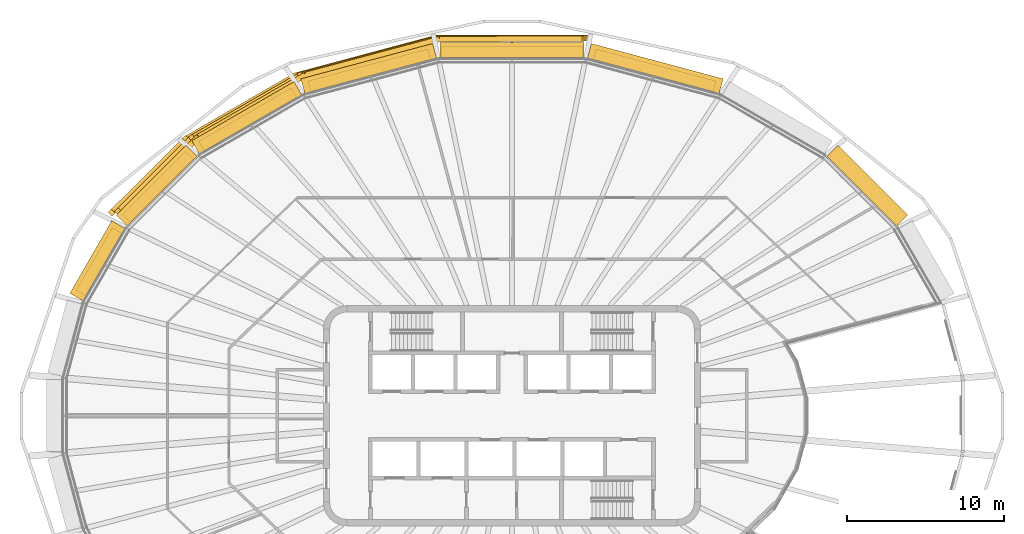
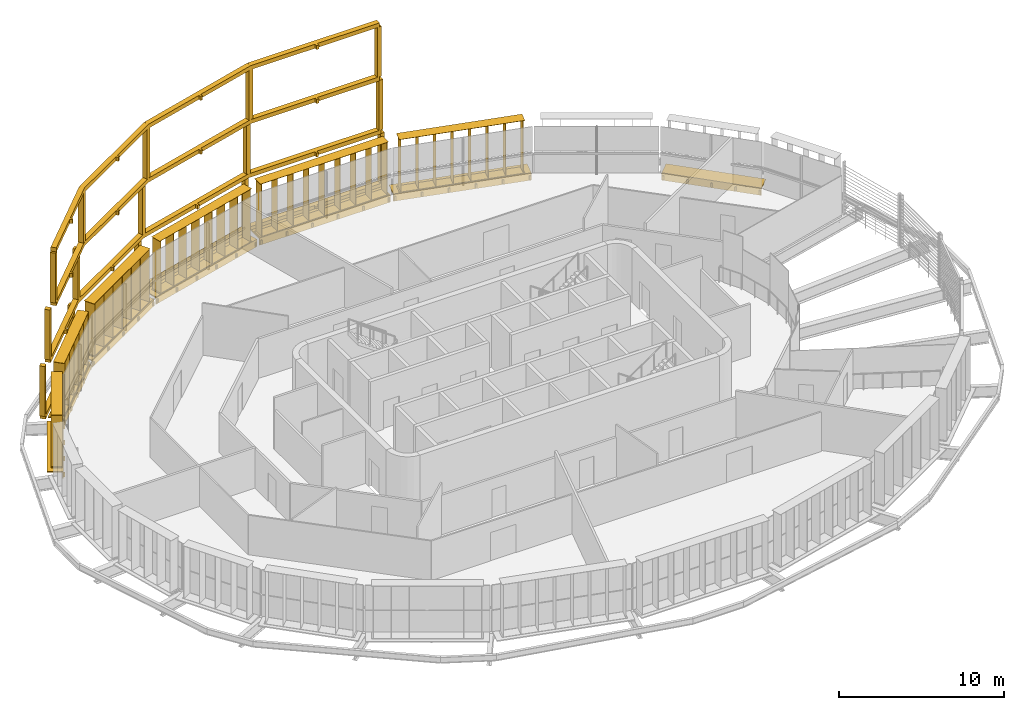
# One storey, part 18 of 19: 14 shading devices.
"""IFC4 building model written with IfcOpenShell, lengths in metres."""

from ifc_helpers import new_model, si_unit, direction, frame, origin, origin_2d, place, context, subcontext, project, spatial, polyline, rectangle, outline, extrude, material, type_object, element, save


model = new_model("IFC4")

# Units and contexts
model_context = context("Model", 3, precision=1e-05, world=origin(), true_north=direction((0.0, 1.0)))
body_context = subcontext(model_context, "Body", "Model", "MODEL_VIEW")
ifc_project = project(units=[si_unit("LENGTHUNIT", "METRE"), si_unit("AREAUNIT", "SQUARE_METRE"), si_unit("VOLUMEUNIT", "CUBIC_METRE"), si_unit("PLANEANGLEUNIT", "RADIAN"), si_unit("MASSUNIT", "GRAM", prefix="KILO")], contexts=[model_context])

# Site, building, storey
site_placement = place(None, origin())
site = spatial("IfcSite", under=ifc_project, at=site_placement, CompositionType="ELEMENT")
building_placement = place(site_placement, origin())
building = spatial("IfcBuilding", under=site, at=building_placement, Name="Sahrelin Media Tower", CompositionType="ELEMENT")
storey_placement = place(building_placement, frame((0.0, 0.0, 287.0)))
storey = spatial("IfcBuildingStorey", under=building, at=storey_placement, Name="L63", CompositionType="ELEMENT", Elevation=287.0)

# Shading devices
ifc_material_1 = material(Name="Dark bronze anodised aluminium 6063-T6", Category="aluminium")
shading_device_type_1 = type_object("IfcShadingDeviceType", Name="Deep frame", PredefinedType="USERDEFINED", material=ifc_material_1)
shading_device_1_placement = place(storey_placement, frame((4.685546875, 22.706787109375, 0.0), z_axis=(0.0, 0.0, 1.0), x_axis=(1.0, 0.0, 0.0)))
element("IfcShadingDevice", 1, at=shading_device_1_placement, inside=storey, type_object=shading_device_type_1, Name="L63:FRAME:F5-4", ObjectType="FRAME", PredefinedType="USERDEFINED", context=body_context, shape_type="SweptSolid", body=[
    extrude(rectangle(XDim=0.300048828125, YDim=0.35009765625, at=origin_2d()), frame((0.0, 1.324951171875, 0.14990234375), z_axis=(0.0, 0.0, 1.0), x_axis=(-1.0, 0.0, 0.0)), (0.0, 0.0, 1.0), 3.7001953125),
    extrude(rectangle(XDim=0.300048828125, YDim=0.35009765625, at=origin_2d()), frame((-9.544189453125, 1.313720703125, 0.14990234375), z_axis=(0.0, 0.0, 1.0), x_axis=(-0.991436202368, -0.130591947046, 0.0)), (0.0, 0.0, 1.0), 3.7001953125),
    extrude(rectangle(XDim=0.300048828125, YDim=0.35009765625, at=origin_2d()), frame((-18.4521484375, -1.0732421875, 0.14990234375), z_axis=(0.0, 0.0, 1.0), x_axis=(-0.923897565017, -0.382639895143, 0.0)), (0.0, 0.0, 1.0), 3.7001953125),
    extrude(rectangle(XDim=0.300048828125, YDim=0.35009765625, at=origin_2d()), frame((-25.432373046875, -5.103271484375, 0.14990234375), z_axis=(0.0, 0.0, 1.0), x_axis=(-0.793352277801, -0.608762813671, 0.0)), (0.0, 0.0, 1.0), 3.7001953125),
    extrude(rectangle(XDim=0.300048828125, YDim=0.35009765625, at=origin_2d()), frame((-30.1416015625, -9.796630859375, 0.14990234375), z_axis=(0.0, 0.0, 1.0), x_axis=(-0.707106781187, -0.707106781187, 0.0)), (0.0, 0.0, 1.0), 3.7001953125),
    extrude(outline(polyline([(-27.654052734375, -7.81103515625), (-27.548095703125, -7.705078125), (-27.67138671875, -7.581787109375), (-25.324951171875, -5.243408203125), (-21.919677734375, -3.277099609375), (-21.835205078125, -3.42333984375), (-21.705322265625, -3.348388671875), (-21.789794921875, -3.2021484375), (-18.384521484375, -1.236083984375), (-14.025146484375, -0.068115234375), (-13.981689453125, -0.231201171875), (-13.836669921875, -0.1923828125), (-13.88037109375, -0.029296875), (-9.52099609375, 1.138671875), (-4.760498046875, 1.144287109375), (-4.760498046875, 0.969970703125), (-4.610595703125, 0.969970703125), (-4.610595703125, 1.14453125), (0.000244140625, 1.14990234375), (-0.000244140625, 1.5), (-9.54443359375, 1.48876953125), (-9.544189453125, 1.313720703125), (-9.58935546875, 1.482666015625), (-18.497314453125, -0.904052734375), (-18.4521484375, -1.0732421875), (-18.53955078125, -0.921630859375), (-25.519775390625, -4.95166015625), (-25.432373046875, -5.103271484375), (-25.555908203125, -4.979248046875), (-30.26513671875, -9.672607421875), (-30.01806640625, -9.92041015625), (-27.777587890625, -7.6875), (-27.654052734375, -7.81103515625)])), frame((0.0, 0.0, -0.14990234375)), (0.0, 0.0, 1.0), 0.2998046875),
    extrude(rectangle(XDim=0.300048828125, YDim=0.35009765625, at=origin_2d()), frame((-0.116455078125, 1.291015625, 4.14990234375), z_axis=(0.0, 0.0, 1.0), x_axis=(-1.0, 0.0, 0.0)), (0.0, 0.0, 1.0), 3.7001953125),
    extrude(rectangle(XDim=0.300048828125, YDim=0.35009765625, at=origin_2d()), frame((-9.427490234375, 1.279541015625, 4.14990234375), z_axis=(0.0, 0.0, 1.0), x_axis=(-0.991436202368, -0.130591947046, 0.0)), (0.0, 0.0, 1.0), 3.7001953125),
    extrude(rectangle(XDim=0.300048828125, YDim=0.35009765625, at=origin_2d()), frame((-18.150634765625, -1.057861328125, 4.14990234375), z_axis=(0.0, 0.0, 1.0), x_axis=(-0.923897565017, -0.382639895143, 0.0)), (0.0, 0.0, 1.0), 3.7001953125),
    extrude(rectangle(XDim=0.300048828125, YDim=0.35009765625, at=origin_2d()), frame((-25.041259765625, -5.035888671875, 4.14990234375), z_axis=(0.0, 0.0, 1.0), x_axis=(-0.793352277801, -0.608762813671, 0.0)), (0.0, 0.0, 1.0), 3.7001953125),
    extrude(rectangle(XDim=0.300048828125, YDim=0.35009765625, at=origin_2d()), frame((-29.732421875, -9.711181640625, 4.14990234375), z_axis=(0.0, 0.0, 1.0), x_axis=(-0.707106781187, -0.707106781187, 0.0)), (0.0, 0.0, 1.0), 3.7001953125),
    extrude(outline(polyline([(-27.25390625, -7.734619140625), (-27.14794921875, -7.628662109375), (-27.27099609375, -7.50537109375), (-24.933837890625, -5.176025390625), (-21.573486328125, -3.23583984375), (-21.489013671875, -3.382080078125), (-21.359130859375, -3.306884765625), (-21.443603515625, -3.160888671875), (-18.0830078125, -1.220703125), (-13.81640625, -0.077392578125), (-13.772705078125, -0.240478515625), (-13.627685546875, -0.20166015625), (-13.67138671875, -0.038818359375), (-9.404541015625, 1.1044921875), (-4.760498046875, 1.110107421875), (-4.760498046875, 0.935791015625), (-4.610595703125, 0.935791015625), (-4.610595703125, 1.1103515625), (-0.1162109375, 1.115966796875), (-0.11669921875, 1.4658203125), (-9.427978515625, 1.45458984375), (-9.427490234375, 1.279541015625), (-9.472900390625, 1.448486328125), (-18.19580078125, -0.888671875), (-18.150634765625, -1.057861328125), (-18.23828125, -0.90625), (-25.128662109375, -4.884521484375), (-25.041259765625, -5.035888671875), (-25.164794921875, -4.912109375), (-29.855712890625, -9.587158203125), (-29.60888671875, -9.8349609375), (-27.37744140625, -7.611328125), (-27.25390625, -7.734619140625)])), frame((0.0, 0.0, 3.85009765625)), (0.0, 0.0, 1.0), 0.2998046875),
    extrude(rectangle(XDim=0.300048828125, YDim=0.35009765625, at=origin_2d()), frame((-0.242431640625, 1.253662109375, 8.14990234375), z_axis=(0.0, 0.0, 1.0), x_axis=(-1.0, 0.0, 0.0)), (0.0, 0.0, 1.0), 3.7001953125),
    extrude(rectangle(XDim=0.300048828125, YDim=0.35009765625, at=origin_2d()), frame((-9.301513671875, 1.242431640625, 8.14990234375), z_axis=(0.0, 0.0, 1.0), x_axis=(-0.991436202368, -0.130591947046, 0.0)), (0.0, 0.0, 1.0), 3.7001953125),
    extrude(rectangle(XDim=0.300048828125, YDim=0.35009765625, at=origin_2d()), frame((-17.823486328125, -1.041015625, 8.14990234375), z_axis=(0.0, 0.0, 1.0), x_axis=(-0.923897565017, -0.382639895143, 0.0)), (0.0, 0.0, 1.0), 3.7001953125),
    extrude(rectangle(XDim=0.300048828125, YDim=0.35009765625, at=origin_2d()), frame((-24.614501953125, -4.9619140625, 8.14990234375), z_axis=(0.0, 0.0, 1.0), x_axis=(-0.793352277801, -0.608762813671, 0.0)), (0.0, 0.0, 1.0), 3.7001953125),
    extrude(rectangle(XDim=0.300048828125, YDim=0.35009765625, at=origin_2d()), frame((-29.28466796875, -9.615966796875, 8.14990234375), z_axis=(0.0, 0.0, 1.0), x_axis=(-0.707106781187, -0.707106781187, 0.0)), (0.0, 0.0, 1.0), 3.7001953125),
    extrude(outline(polyline([(-26.81689453125, -7.650146484375), (-26.710693359375, -7.5439453125), (-26.833984375, -7.420654296875), (-24.50732421875, -5.10205078125), (-21.1962890625, -3.1904296875), (-21.112060546875, -3.336669921875), (-20.982177734375, -3.26171875), (-21.06640625, -3.115478515625), (-17.755859375, -1.2041015625), (-13.589599609375, -0.087646484375), (-13.5458984375, -0.250732421875), (-13.401123046875, -0.2119140625), (-13.44482421875, -0.048828125), (-9.278564453125, 1.0673828125), (-4.760498046875, 1.072998046875), (-4.760498046875, 0.898681640625), (-4.610595703125, 0.898681640625), (-4.610595703125, 1.0732421875), (-0.2421875, 1.07861328125), (-0.24267578125, 1.4287109375), (-9.302001953125, 1.41748046875), (-9.301513671875, 1.242431640625), (-9.346923828125, 1.411376953125), (-17.86865234375, -0.871826171875), (-17.823486328125, -1.041015625), (-17.910888671875, -0.889404296875), (-24.7021484375, -4.810302734375), (-24.614501953125, -4.9619140625), (-24.738037109375, -4.837890625), (-29.408203125, -9.491943359375), (-29.1611328125, -9.73974609375), (-26.940185546875, -7.526611328125), (-26.81689453125, -7.650146484375)])), frame((0.0, 0.0, 7.85009765625)), (0.0, 0.0, 1.0), 0.2998046875),
    extrude(outline(polyline([(-26.81689453125, -7.650146484375), (-26.710693359375, -7.5439453125), (-26.833984375, -7.420654296875), (-24.50732421875, -5.10205078125), (-21.1962890625, -3.1904296875), (-21.112060546875, -3.336669921875), (-20.982177734375, -3.26171875), (-21.06640625, -3.115478515625), (-17.755859375, -1.2041015625), (-13.589599609375, -0.087646484375), (-13.5458984375, -0.250732421875), (-13.401123046875, -0.2119140625), (-13.44482421875, -0.048828125), (-9.278564453125, 1.0673828125), (-4.760498046875, 1.072998046875), (-4.760498046875, 0.898681640625), (-4.610595703125, 0.898681640625), (-4.610595703125, 1.0732421875), (-0.2421875, 1.07861328125), (-0.24267578125, 1.4287109375), (-9.302001953125, 1.41748046875), (-9.301513671875, 1.242431640625), (-9.346923828125, 1.411376953125), (-17.86865234375, -0.871826171875), (-17.823486328125, -1.041015625), (-17.910888671875, -0.889404296875), (-24.7021484375, -4.810302734375), (-24.614501953125, -4.9619140625), (-24.738037109375, -4.837890625), (-29.408203125, -9.491943359375), (-29.1611328125, -9.73974609375), (-26.940185546875, -7.526611328125), (-26.81689453125, -7.650146484375)])), frame((0.0, 0.0, 11.85009765625)), (0.0, 0.0, 1.0), 0.2998046875),
])
ifc_material_2 = material(Name="Champagne anodised aluminium 6063-T6", Category="aluminium")
shading_device_type_2 = type_object("IfcShadingDeviceType", Name="Fin cassette", PredefinedType="USERDEFINED", material=ifc_material_2)
placement_1 = place(storey_placement, frame((8.972412109375, 21.55810546875, 0.0), z_axis=(0.0, 0.0, 1.0), x_axis=(0.965928857556, -0.258807731996, 0.0)))
element("IfcShadingDevice", 2, at=placement_1, inside=storey, type_object=shading_device_type_2, Name="L63:FIN:L63-05", ObjectType="FIN", PredefinedType="USERDEFINED", context=body_context, shape_type="SweptSolid", body=[
    extrude(rectangle(XDim=7.89990234375, YDim=0.699951171875, at=origin_2d()), frame((0.0, 0.419921875, 0.0)), (0.0, 0.0, 1.0), 0.02001953125),
    extrude(rectangle(XDim=7.89990234375, YDim=0.699951171875, at=origin_2d()), frame((0.0, 0.419921875, 3.89990234375)), (0.0, 0.0, 1.0), 0.02001953125),
    extrude(rectangle(XDim=0.02001953125, YDim=0.699951171875, at=origin_2d()), frame((-3.85009765625, 0.419921875, 0.010009765625), z_axis=(0.0, 0.0, 1.0), x_axis=(1.0, 0.0, 0.0)), (0.0, 0.0, 1.0), 3.89990234375),
    extrude(rectangle(XDim=0.02001953125, YDim=0.699951171875, at=origin_2d()), frame((-2.75, 0.419921875, 0.010009765625), z_axis=(0.0, 0.0, 1.0), x_axis=(1.0, 0.0, 0.0)), (0.0, 0.0, 1.0), 3.89990234375),
    extrude(rectangle(XDim=0.02001953125, YDim=0.699951171875, at=origin_2d()), frame((-1.64990234375, 0.419921875, 0.010009765625), z_axis=(0.0, 0.0, 1.0), x_axis=(1.0, 0.0, 0.0)), (0.0, 0.0, 1.0), 3.89990234375),
    extrude(rectangle(XDim=0.02001953125, YDim=0.699951171875, at=origin_2d()), frame((-0.550048828125, 0.419921875, 0.010009765625), z_axis=(0.0, 0.0, 1.0), x_axis=(1.0, 0.0, 0.0)), (0.0, 0.0, 1.0), 3.89990234375),
    extrude(rectangle(XDim=0.02001953125, YDim=0.699951171875, at=origin_2d()), frame((0.550048828125, 0.419921875, 0.010009765625), z_axis=(0.0, 0.0, 1.0), x_axis=(1.0, 0.0, 0.0)), (0.0, 0.0, 1.0), 3.89990234375),
    extrude(rectangle(XDim=0.02001953125, YDim=0.699951171875, at=origin_2d()), frame((1.64990234375, 0.419921875, 0.010009765625), z_axis=(0.0, 0.0, 1.0), x_axis=(1.0, 0.0, 0.0)), (0.0, 0.0, 1.0), 3.89990234375),
    extrude(rectangle(XDim=0.02001953125, YDim=0.699951171875, at=origin_2d()), frame((2.75, 0.419921875, 0.010009765625), z_axis=(0.0, 0.0, 1.0), x_axis=(1.0, 0.0, 0.0)), (0.0, 0.0, 1.0), 3.89990234375),
    extrude(rectangle(XDim=0.02001953125, YDim=0.699951171875, at=origin_2d()), frame((3.85009765625, 0.419921875, 0.010009765625), z_axis=(0.0, 0.0, 1.0), x_axis=(1.0, 0.0, 0.0)), (0.0, 0.0, 1.0), 3.89990234375),
])
placement_2 = place(storey_placement, frame((0.0, 22.706787109375, 0.0), z_axis=(0.0, 0.0, 1.0), x_axis=(1.0, 0.0, 0.0)))
element("IfcShadingDevice", 3, at=placement_2, inside=storey, type_object=shading_device_type_2, Name="L63:FIN:L63-06", ObjectType="FIN", PredefinedType="USERDEFINED", context=body_context, shape_type="SweptSolid", body=[
    extrude(rectangle(XDim=9.0, YDim=0.699951171875, at=origin_2d()), frame((0.0, 0.419921875, 0.0)), (0.0, 0.0, 1.0), 0.02001953125),
    extrude(rectangle(XDim=9.0, YDim=0.699951171875, at=origin_2d()), frame((0.0, 0.419921875, 3.89990234375)), (0.0, 0.0, 1.0), 0.02001953125),
    extrude(rectangle(XDim=0.02001953125, YDim=0.699951171875, at=origin_2d()), frame((-4.39990234375, 0.419921875, 0.010009765625), z_axis=(0.0, 0.0, 1.0), x_axis=(1.0, 0.0, 0.0)), (0.0, 0.0, 1.0), 3.89990234375),
    extrude(rectangle(XDim=0.02001953125, YDim=0.699951171875, at=origin_2d()), frame((-3.300048828125, 0.419921875, 0.010009765625), z_axis=(0.0, 0.0, 1.0), x_axis=(1.0, 0.0, 0.0)), (0.0, 0.0, 1.0), 3.89990234375),
    extrude(rectangle(XDim=0.02001953125, YDim=0.699951171875, at=origin_2d()), frame((-2.199951171875, 0.419921875, 0.010009765625), z_axis=(0.0, 0.0, 1.0), x_axis=(1.0, 0.0, 0.0)), (0.0, 0.0, 1.0), 3.89990234375),
    extrude(rectangle(XDim=0.02001953125, YDim=0.699951171875, at=origin_2d()), frame((-1.10009765625, 0.419921875, 0.010009765625), z_axis=(0.0, 0.0, 1.0), x_axis=(1.0, 0.0, 0.0)), (0.0, 0.0, 1.0), 3.89990234375),
    extrude(rectangle(XDim=0.02001953125, YDim=0.699951171875, at=origin_2d()), frame((0.0, 0.419921875, 0.010009765625), z_axis=(0.0, 0.0, 1.0), x_axis=(1.0, 0.0, 0.0)), (0.0, 0.0, 1.0), 3.89990234375),
    extrude(rectangle(XDim=0.02001953125, YDim=0.699951171875, at=origin_2d()), frame((1.10009765625, 0.419921875, 0.010009765625), z_axis=(0.0, 0.0, 1.0), x_axis=(1.0, 0.0, 0.0)), (0.0, 0.0, 1.0), 3.89990234375),
    extrude(rectangle(XDim=0.02001953125, YDim=0.699951171875, at=origin_2d()), frame((2.199951171875, 0.419921875, 0.010009765625), z_axis=(0.0, 0.0, 1.0), x_axis=(1.0, 0.0, 0.0)), (0.0, 0.0, 1.0), 3.89990234375),
    extrude(rectangle(XDim=0.02001953125, YDim=0.699951171875, at=origin_2d()), frame((3.300048828125, 0.419921875, 0.010009765625), z_axis=(0.0, 0.0, 1.0), x_axis=(1.0, 0.0, 0.0)), (0.0, 0.0, 1.0), 3.89990234375),
    extrude(rectangle(XDim=0.02001953125, YDim=0.699951171875, at=origin_2d()), frame((4.39990234375, 0.419921875, 0.010009765625), z_axis=(0.0, 0.0, 1.0), x_axis=(1.0, 0.0, 0.0)), (0.0, 0.0, 1.0), 3.89990234375),
])
placement_3 = place(storey_placement, frame((-8.972412109375, 21.55810546875, 0.0), z_axis=(0.0, 0.0, 1.0), x_axis=(0.965928857556, 0.258807731996, 0.0)))
element("IfcShadingDevice", 4, at=placement_3, inside=storey, type_object=shading_device_type_2, Name="L63:FIN:L63-07", ObjectType="FIN", PredefinedType="USERDEFINED", context=body_context, shape_type="SweptSolid", body=[
    extrude(rectangle(XDim=7.89990234375, YDim=0.699951171875, at=origin_2d()), frame((0.0, 0.419921875, 0.0)), (0.0, 0.0, 1.0), 0.02001953125),
    extrude(rectangle(XDim=7.89990234375, YDim=0.699951171875, at=origin_2d()), frame((0.0, 0.419921875, 3.89990234375)), (0.0, 0.0, 1.0), 0.02001953125),
    extrude(rectangle(XDim=0.02001953125, YDim=0.699951171875, at=origin_2d()), frame((-3.85009765625, 0.419921875, 0.010009765625), z_axis=(0.0, 0.0, 1.0), x_axis=(1.0, 0.0, 0.0)), (0.0, 0.0, 1.0), 3.89990234375),
    extrude(rectangle(XDim=0.02001953125, YDim=0.699951171875, at=origin_2d()), frame((-2.75, 0.419921875, 0.010009765625), z_axis=(0.0, 0.0, 1.0), x_axis=(1.0, 0.0, 0.0)), (0.0, 0.0, 1.0), 3.89990234375),
    extrude(rectangle(XDim=0.02001953125, YDim=0.699951171875, at=origin_2d()), frame((-1.64990234375, 0.419921875, 0.010009765625), z_axis=(0.0, 0.0, 1.0), x_axis=(1.0, 0.0, 0.0)), (0.0, 0.0, 1.0), 3.89990234375),
    extrude(rectangle(XDim=0.02001953125, YDim=0.699951171875, at=origin_2d()), frame((-0.550048828125, 0.419921875, 0.010009765625), z_axis=(0.0, 0.0, 1.0), x_axis=(1.0, 0.0, 0.0)), (0.0, 0.0, 1.0), 3.89990234375),
    extrude(rectangle(XDim=0.02001953125, YDim=0.699951171875, at=origin_2d()), frame((0.550048828125, 0.419921875, 0.010009765625), z_axis=(0.0, 0.0, 1.0), x_axis=(1.0, 0.0, 0.0)), (0.0, 0.0, 1.0), 3.89990234375),
    extrude(rectangle(XDim=0.02001953125, YDim=0.699951171875, at=origin_2d()), frame((1.64990234375, 0.419921875, 0.010009765625), z_axis=(0.0, 0.0, 1.0), x_axis=(1.0, 0.0, 0.0)), (0.0, 0.0, 1.0), 3.89990234375),
    extrude(rectangle(XDim=0.02001953125, YDim=0.699951171875, at=origin_2d()), frame((2.75, 0.419921875, 0.010009765625), z_axis=(0.0, 0.0, 1.0), x_axis=(1.0, 0.0, 0.0)), (0.0, 0.0, 1.0), 3.89990234375),
    extrude(rectangle(XDim=0.02001953125, YDim=0.699951171875, at=origin_2d()), frame((3.85009765625, 0.419921875, 0.010009765625), z_axis=(0.0, 0.0, 1.0), x_axis=(1.0, 0.0, 0.0)), (0.0, 0.0, 1.0), 3.89990234375),
])
placement_4 = place(storey_placement, frame((-16.599853515625, 18.48095703125, 0.0), z_axis=(0.0, 0.0, 1.0), x_axis=(0.866019052629, 0.500011000363, 0.0)))
element("IfcShadingDevice", 5, at=placement_4, inside=storey, type_object=shading_device_type_2, Name="L63:FIN:L63-08", ObjectType="FIN", PredefinedType="USERDEFINED", context=body_context, shape_type="SweptSolid", body=[
    extrude(rectangle(XDim=6.800048828125, YDim=0.699951171875, at=origin_2d()), frame((0.0, 0.419921875, 0.0)), (0.0, 0.0, 1.0), 0.02001953125),
    extrude(rectangle(XDim=6.800048828125, YDim=0.699951171875, at=origin_2d()), frame((0.0, 0.419921875, 3.89990234375)), (0.0, 0.0, 1.0), 0.02001953125),
    extrude(rectangle(XDim=0.02001953125, YDim=0.699951171875, at=origin_2d()), frame((-3.300048828125, 0.419921875, 0.010009765625), z_axis=(0.0, 0.0, 1.0), x_axis=(1.0, 0.0, 0.0)), (0.0, 0.0, 1.0), 3.89990234375),
    extrude(rectangle(XDim=0.02001953125, YDim=0.699951171875, at=origin_2d()), frame((-2.199951171875, 0.419921875, 0.010009765625), z_axis=(0.0, 0.0, 1.0), x_axis=(1.0, 0.0, 0.0)), (0.0, 0.0, 1.0), 3.89990234375),
    extrude(rectangle(XDim=0.02001953125, YDim=0.699951171875, at=origin_2d()), frame((-1.10009765625, 0.419921875, 0.010009765625), z_axis=(0.0, 0.0, 1.0), x_axis=(1.0, 0.0, 0.0)), (0.0, 0.0, 1.0), 3.89990234375),
    extrude(rectangle(XDim=0.02001953125, YDim=0.699951171875, at=origin_2d()), frame((0.0, 0.419921875, 0.010009765625), z_axis=(0.0, 0.0, 1.0), x_axis=(1.0, 0.0, 0.0)), (0.0, 0.0, 1.0), 3.89990234375),
    extrude(rectangle(XDim=0.02001953125, YDim=0.699951171875, at=origin_2d()), frame((1.10009765625, 0.419921875, 0.010009765625), z_axis=(0.0, 0.0, 1.0), x_axis=(1.0, 0.0, 0.0)), (0.0, 0.0, 1.0), 3.89990234375),
    extrude(rectangle(XDim=0.02001953125, YDim=0.699951171875, at=origin_2d()), frame((2.199951171875, 0.419921875, 0.010009765625), z_axis=(0.0, 0.0, 1.0), x_axis=(1.0, 0.0, 0.0)), (0.0, 0.0, 1.0), 3.89990234375),
    extrude(rectangle(XDim=0.02001953125, YDim=0.699951171875, at=origin_2d()), frame((3.300048828125, 0.419921875, 0.010009765625), z_axis=(0.0, 0.0, 1.0), x_axis=(1.0, 0.0, 0.0)), (0.0, 0.0, 1.0), 3.89990234375),
])
placement_5 = place(storey_placement, frame((-22.2294921875, 14.262939453125, 0.0), z_axis=(0.0, 0.0, 1.0), x_axis=(0.707106781187, 0.707106781187, 0.0)))
element("IfcShadingDevice", 6, at=placement_5, inside=storey, type_object=shading_device_type_2, Name="L63:FIN:L63-09", ObjectType="FIN", PredefinedType="USERDEFINED", context=body_context, shape_type="SweptSolid", body=[
    extrude(rectangle(XDim=5.699951171875, YDim=0.699951171875, at=origin_2d()), frame((0.0, 0.419921875, 0.0)), (0.0, 0.0, 1.0), 0.02001953125),
    extrude(rectangle(XDim=5.699951171875, YDim=0.699951171875, at=origin_2d()), frame((0.0, 0.419921875, 3.89990234375)), (0.0, 0.0, 1.0), 0.02001953125),
    extrude(rectangle(XDim=0.02001953125, YDim=0.699951171875, at=origin_2d()), frame((-2.75, 0.419921875, 0.010009765625), z_axis=(0.0, 0.0, 1.0), x_axis=(1.0, 0.0, 0.0)), (0.0, 0.0, 1.0), 3.89990234375),
    extrude(rectangle(XDim=0.02001953125, YDim=0.699951171875, at=origin_2d()), frame((-1.64990234375, 0.419921875, 0.010009765625), z_axis=(0.0, 0.0, 1.0), x_axis=(1.0, 0.0, 0.0)), (0.0, 0.0, 1.0), 3.89990234375),
    extrude(rectangle(XDim=0.02001953125, YDim=0.699951171875, at=origin_2d()), frame((-0.550048828125, 0.419921875, 0.010009765625), z_axis=(0.0, 0.0, 1.0), x_axis=(1.0, 0.0, 0.0)), (0.0, 0.0, 1.0), 3.89990234375),
    extrude(rectangle(XDim=0.02001953125, YDim=0.699951171875, at=origin_2d()), frame((0.550048828125, 0.419921875, 0.010009765625), z_axis=(0.0, 0.0, 1.0), x_axis=(1.0, 0.0, 0.0)), (0.0, 0.0, 1.0), 3.89990234375),
    extrude(rectangle(XDim=0.02001953125, YDim=0.699951171875, at=origin_2d()), frame((1.64990234375, 0.419921875, 0.010009765625), z_axis=(0.0, 0.0, 1.0), x_axis=(1.0, 0.0, 0.0)), (0.0, 0.0, 1.0), 3.89990234375),
    extrude(rectangle(XDim=0.02001953125, YDim=0.699951171875, at=origin_2d()), frame((2.75, 0.419921875, 0.010009765625), z_axis=(0.0, 0.0, 1.0), x_axis=(1.0, 0.0, 0.0)), (0.0, 0.0, 1.0), 3.89990234375),
])
placement_6 = place(storey_placement, frame((-25.90087890625, 9.580322265625, 0.0), z_axis=(0.0, 0.0, 1.0), x_axis=(0.500011000363, 0.866019052629, 0.0)))
element("IfcShadingDevice", 7, at=placement_6, inside=storey, type_object=shading_device_type_2, Name="L63:FIN:L63-10", ObjectType="FIN", PredefinedType="USERDEFINED", context=body_context, shape_type="SweptSolid", body=[
    extrude(rectangle(XDim=4.60009765625, YDim=0.699951171875, at=origin_2d()), frame((0.0, 0.419921875, 0.0)), (0.0, 0.0, 1.0), 0.02001953125),
    extrude(rectangle(XDim=4.60009765625, YDim=0.699951171875, at=origin_2d()), frame((0.0, 0.419921875, 3.89990234375)), (0.0, 0.0, 1.0), 0.02001953125),
    extrude(rectangle(XDim=0.02001953125, YDim=0.699951171875, at=origin_2d()), frame((-2.199951171875, 0.419921875, 0.010009765625), z_axis=(0.0, 0.0, 1.0), x_axis=(1.0, 0.0, 0.0)), (0.0, 0.0, 1.0), 3.89990234375),
    extrude(rectangle(XDim=0.02001953125, YDim=0.699951171875, at=origin_2d()), frame((-1.10009765625, 0.419921875, 0.010009765625), z_axis=(0.0, 0.0, 1.0), x_axis=(1.0, 0.0, 0.0)), (0.0, 0.0, 1.0), 3.89990234375),
    extrude(rectangle(XDim=0.02001953125, YDim=0.699951171875, at=origin_2d()), frame((0.0, 0.419921875, 0.010009765625), z_axis=(0.0, 0.0, 1.0), x_axis=(1.0, 0.0, 0.0)), (0.0, 0.0, 1.0), 3.89990234375),
    extrude(rectangle(XDim=0.02001953125, YDim=0.699951171875, at=origin_2d()), frame((1.10009765625, 0.419921875, 0.010009765625), z_axis=(0.0, 0.0, 1.0), x_axis=(1.0, 0.0, 0.0)), (0.0, 0.0, 1.0), 3.89990234375),
    extrude(rectangle(XDim=0.02001953125, YDim=0.699951171875, at=origin_2d()), frame((2.199951171875, 0.419921875, 0.010009765625), z_axis=(0.0, 0.0, 1.0), x_axis=(1.0, 0.0, 0.0)), (0.0, 0.0, 1.0), 3.89990234375),
])
shading_device_type_3 = type_object("IfcShadingDeviceType", Name="Sunshade band", PredefinedType="USERDEFINED", material=ifc_material_2)
shading_device_8_placement = place(storey_placement, frame((22.2294921875, 14.2626953125, 0.0), z_axis=(0.0, 0.0, 1.0), x_axis=(0.707106781187, -0.707106781187, 0.0)))
element("IfcShadingDevice", 8, at=shading_device_8_placement, inside=storey, type_object=shading_device_type_3, Name="L63:SUN:L63-03", ObjectType="SUNSHADE", PredefinedType="USERDEFINED", context=body_context, shape_type="SweptSolid", body=[
    extrude(rectangle(XDim=6.27587890625, YDim=0.050048828125, at=origin_2d()), frame((0.0, 0.044921875, -0.55126953125)), (0.0, 0.0, 1.0), 0.471435546875),
    extrude(rectangle(XDim=6.27587890625, YDim=1.0, at=origin_2d()), frame((0.0, 0.52001953125, -0.080078125)), (0.0, 0.0, 1.0), 0.080078125),
    extrude(rectangle(XDim=0.10009765625, YDim=0.074951171875, at=origin_2d()), frame((-3.037841796875, -0.017578125, -0.47021484375)), (0.0, 0.0, 1.0), 0.300048828125),
    extrude(rectangle(XDim=0.10009765625, YDim=0.074951171875, at=origin_2d()), frame((-1.518798828125, -0.017578125, -0.47021484375)), (0.0, 0.0, 1.0), 0.300048828125),
    extrude(rectangle(XDim=0.10009765625, YDim=0.074951171875, at=origin_2d()), frame((0.0, -0.017578125, -0.47021484375)), (0.0, 0.0, 1.0), 0.300048828125),
    extrude(rectangle(XDim=0.10009765625, YDim=0.074951171875, at=origin_2d()), frame((1.518798828125, -0.017578125, -0.47021484375)), (0.0, 0.0, 1.0), 0.300048828125),
    extrude(rectangle(XDim=0.10009765625, YDim=0.074951171875, at=origin_2d()), frame((3.037841796875, -0.017578125, -0.47021484375)), (0.0, 0.0, 1.0), 0.300048828125),
])
element("IfcShadingDevice", 9, at=placement_1, inside=storey, type_object=shading_device_type_3, Name="L63:SUN:L63-05", ObjectType="SUNSHADE", PredefinedType="USERDEFINED", context=body_context, shape_type="SweptSolid", body=[
    extrude(rectangle(XDim=8.67626953125, YDim=0.050048828125, at=origin_2d()), frame((0.0, 0.044921875, -0.55126953125)), (0.0, 0.0, 1.0), 0.471435546875),
    extrude(rectangle(XDim=8.67626953125, YDim=1.0, at=origin_2d()), frame((0.0, 0.52001953125, -0.080078125)), (0.0, 0.0, 1.0), 0.080078125),
    extrude(rectangle(XDim=0.10009765625, YDim=0.074951171875, at=origin_2d()), frame((-4.238037109375, -0.017578125, -0.47021484375)), (0.0, 0.0, 1.0), 0.300048828125),
    extrude(rectangle(XDim=0.10009765625, YDim=0.074951171875, at=origin_2d()), frame((-2.54296875, -0.017578125, -0.47021484375)), (0.0, 0.0, 1.0), 0.300048828125),
    extrude(rectangle(XDim=0.10009765625, YDim=0.074951171875, at=origin_2d()), frame((-0.84765625, -0.017578125, -0.47021484375)), (0.0, 0.0, 1.0), 0.300048828125),
    extrude(rectangle(XDim=0.10009765625, YDim=0.074951171875, at=origin_2d()), frame((0.84765625, -0.017578125, -0.47021484375)), (0.0, 0.0, 1.0), 0.300048828125),
    extrude(rectangle(XDim=0.10009765625, YDim=0.074951171875, at=origin_2d()), frame((2.54296875, -0.017578125, -0.47021484375)), (0.0, 0.0, 1.0), 0.300048828125),
    extrude(rectangle(XDim=0.10009765625, YDim=0.074951171875, at=origin_2d()), frame((4.238037109375, -0.017578125, -0.47021484375)), (0.0, 0.0, 1.0), 0.300048828125),
])
element("IfcShadingDevice", 10, at=placement_2, inside=storey, type_object=shading_device_type_3, Name="L63:SUN:L63-06", ObjectType="SUNSHADE", PredefinedType="USERDEFINED", context=body_context, shape_type="SweptSolid", body=[
    extrude(rectangle(XDim=9.171142578125, YDim=0.050048828125, at=origin_2d()), frame((0.0, 0.044921875, -0.55126953125)), (0.0, 0.0, 1.0), 0.471435546875),
    extrude(rectangle(XDim=9.171142578125, YDim=1.0, at=origin_2d()), frame((0.0, 0.52001953125, -0.080078125)), (0.0, 0.0, 1.0), 0.080078125),
    extrude(rectangle(XDim=0.10009765625, YDim=0.074951171875, at=origin_2d()), frame((-4.485595703125, -0.017578125, -0.47021484375)), (0.0, 0.0, 1.0), 0.300048828125),
    extrude(rectangle(XDim=0.10009765625, YDim=0.074951171875, at=origin_2d()), frame((-2.69140625, -0.017578125, -0.47021484375)), (0.0, 0.0, 1.0), 0.300048828125),
    extrude(rectangle(XDim=0.10009765625, YDim=0.074951171875, at=origin_2d()), frame((-0.897216796875, -0.017578125, -0.47021484375)), (0.0, 0.0, 1.0), 0.300048828125),
    extrude(rectangle(XDim=0.10009765625, YDim=0.074951171875, at=origin_2d()), frame((0.897216796875, -0.017578125, -0.47021484375)), (0.0, 0.0, 1.0), 0.300048828125),
    extrude(rectangle(XDim=0.10009765625, YDim=0.074951171875, at=origin_2d()), frame((2.69140625, -0.017578125, -0.47021484375)), (0.0, 0.0, 1.0), 0.300048828125),
    extrude(rectangle(XDim=0.10009765625, YDim=0.074951171875, at=origin_2d()), frame((4.485595703125, -0.017578125, -0.47021484375)), (0.0, 0.0, 1.0), 0.300048828125),
])
element("IfcShadingDevice", 11, at=placement_3, inside=storey, type_object=shading_device_type_3, Name="L63:SUN:L63-07", ObjectType="SUNSHADE", PredefinedType="USERDEFINED", context=body_context, shape_type="SweptSolid", body=[
    extrude(rectangle(XDim=8.67626953125, YDim=0.050048828125, at=origin_2d()), frame((0.0, 0.044921875, -0.55126953125)), (0.0, 0.0, 1.0), 0.471435546875),
    extrude(rectangle(XDim=8.67626953125, YDim=1.0, at=origin_2d()), frame((0.0, 0.52001953125, -0.080078125)), (0.0, 0.0, 1.0), 0.080078125),
    extrude(rectangle(XDim=0.10009765625, YDim=0.074951171875, at=origin_2d()), frame((-4.238037109375, -0.017578125, -0.47021484375)), (0.0, 0.0, 1.0), 0.300048828125),
    extrude(rectangle(XDim=0.10009765625, YDim=0.074951171875, at=origin_2d()), frame((-2.54296875, -0.017578125, -0.47021484375)), (0.0, 0.0, 1.0), 0.300048828125),
    extrude(rectangle(XDim=0.10009765625, YDim=0.074951171875, at=origin_2d()), frame((-0.84765625, -0.017578125, -0.47021484375)), (0.0, 0.0, 1.0), 0.300048828125),
    extrude(rectangle(XDim=0.10009765625, YDim=0.074951171875, at=origin_2d()), frame((0.84765625, -0.017578125, -0.47021484375)), (0.0, 0.0, 1.0), 0.300048828125),
    extrude(rectangle(XDim=0.10009765625, YDim=0.074951171875, at=origin_2d()), frame((2.54296875, -0.017578125, -0.47021484375)), (0.0, 0.0, 1.0), 0.300048828125),
    extrude(rectangle(XDim=0.10009765625, YDim=0.074951171875, at=origin_2d()), frame((4.238037109375, -0.017578125, -0.47021484375)), (0.0, 0.0, 1.0), 0.300048828125),
])
element("IfcShadingDevice", 12, at=placement_4, inside=storey, type_object=shading_device_type_3, Name="L63:SUN:L63-08", ObjectType="SUNSHADE", PredefinedType="USERDEFINED", context=body_context, shape_type="SweptSolid", body=[
    extrude(rectangle(XDim=7.51416015625, YDim=0.050048828125, at=origin_2d()), frame((0.0, 0.044921875, -0.55126953125)), (0.0, 0.0, 1.0), 0.471435546875),
    extrude(rectangle(XDim=7.51416015625, YDim=1.0, at=origin_2d()), frame((0.0, 0.52001953125, -0.080078125)), (0.0, 0.0, 1.0), 0.080078125),
    extrude(rectangle(XDim=0.10009765625, YDim=0.074951171875, at=origin_2d()), frame((-3.656982421875, -0.017578125, -0.47021484375)), (0.0, 0.0, 1.0), 0.300048828125),
    extrude(rectangle(XDim=0.10009765625, YDim=0.074951171875, at=origin_2d()), frame((-1.82861328125, -0.017578125, -0.47021484375)), (0.0, 0.0, 1.0), 0.300048828125),
    extrude(rectangle(XDim=0.10009765625, YDim=0.074951171875, at=origin_2d()), frame((0.0, -0.017578125, -0.47021484375)), (0.0, 0.0, 1.0), 0.300048828125),
    extrude(rectangle(XDim=0.10009765625, YDim=0.074951171875, at=origin_2d()), frame((1.82861328125, -0.017578125, -0.47021484375)), (0.0, 0.0, 1.0), 0.300048828125),
    extrude(rectangle(XDim=0.10009765625, YDim=0.074951171875, at=origin_2d()), frame((3.656982421875, -0.017578125, -0.47021484375)), (0.0, 0.0, 1.0), 0.300048828125),
])
element("IfcShadingDevice", 13, at=placement_5, inside=storey, type_object=shading_device_type_3, Name="L63:SUN:L63-09", ObjectType="SUNSHADE", PredefinedType="USERDEFINED", context=body_context, shape_type="SweptSolid", body=[
    extrude(rectangle(XDim=6.27587890625, YDim=0.050048828125, at=origin_2d()), frame((0.0, 0.044921875, -0.55126953125)), (0.0, 0.0, 1.0), 0.471435546875),
    extrude(rectangle(XDim=6.27587890625, YDim=1.0, at=origin_2d()), frame((0.0, 0.52001953125, -0.080078125)), (0.0, 0.0, 1.0), 0.080078125),
    extrude(rectangle(XDim=0.10009765625, YDim=0.074951171875, at=origin_2d()), frame((-3.037841796875, -0.017578125, -0.47021484375)), (0.0, 0.0, 1.0), 0.300048828125),
    extrude(rectangle(XDim=0.10009765625, YDim=0.074951171875, at=origin_2d()), frame((-1.518798828125, -0.017578125, -0.47021484375)), (0.0, 0.0, 1.0), 0.300048828125),
    extrude(rectangle(XDim=0.10009765625, YDim=0.074951171875, at=origin_2d()), frame((0.0, -0.017578125, -0.47021484375)), (0.0, 0.0, 1.0), 0.300048828125),
    extrude(rectangle(XDim=0.10009765625, YDim=0.074951171875, at=origin_2d()), frame((1.518798828125, -0.017578125, -0.47021484375)), (0.0, 0.0, 1.0), 0.300048828125),
    extrude(rectangle(XDim=0.10009765625, YDim=0.074951171875, at=origin_2d()), frame((3.037841796875, -0.017578125, -0.47021484375)), (0.0, 0.0, 1.0), 0.300048828125),
])
element("IfcShadingDevice", 14, at=placement_6, inside=storey, type_object=shading_device_type_3, Name="L63:SUN:L63-10", ObjectType="SUNSHADE", PredefinedType="USERDEFINED", context=body_context, shape_type="SweptSolid", body=[
    extrude(rectangle(XDim=5.326416015625, YDim=0.050048828125, at=origin_2d()), frame((0.0, 0.044921875, -0.55126953125)), (0.0, 0.0, 1.0), 0.471435546875),
    extrude(rectangle(XDim=5.326416015625, YDim=1.0, at=origin_2d()), frame((0.0, 0.52001953125, -0.080078125)), (0.0, 0.0, 1.0), 0.080078125),
    extrude(rectangle(XDim=0.10009765625, YDim=0.074951171875, at=origin_2d()), frame((-2.563232421875, -0.017578125, -0.47021484375)), (0.0, 0.0, 1.0), 0.300048828125),
    extrude(rectangle(XDim=0.10009765625, YDim=0.074951171875, at=origin_2d()), frame((-0.8544921875, -0.017578125, -0.47021484375)), (0.0, 0.0, 1.0), 0.300048828125),
    extrude(rectangle(XDim=0.10009765625, YDim=0.074951171875, at=origin_2d()), frame((0.8544921875, -0.017578125, -0.47021484375)), (0.0, 0.0, 1.0), 0.300048828125),
    extrude(rectangle(XDim=0.10009765625, YDim=0.074951171875, at=origin_2d()), frame((2.563232421875, -0.017578125, -0.47021484375)), (0.0, 0.0, 1.0), 0.300048828125),
])

save(model, "model.ifc")
